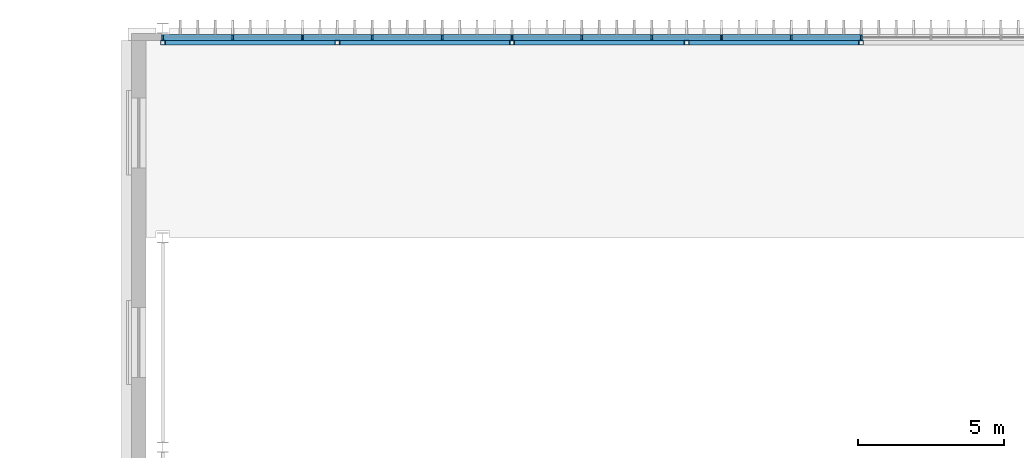
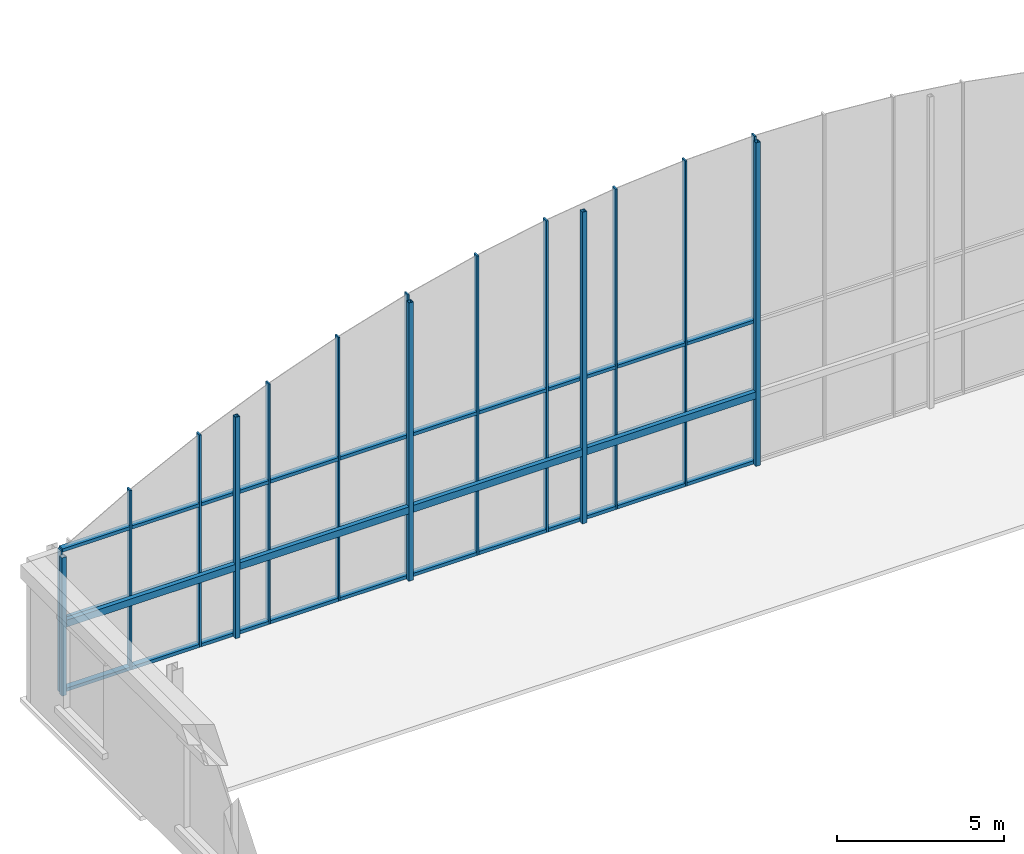
# One storey, part 28 of 93: 46 members, 4 beams, 1 element without a shape of its own.
"""IFC4 building model written with IfcOpenShell, lengths in metres."""

from ifc_helpers import new_model, si_unit, direction, frame, origin, origin_2d, place, context, subcontext, project, spatial, rectangle, hollow_rectangle, extrude, material, layer, layer_set, material_profile, profile_set, type_object, element, aggregate, save


model = new_model("IFC4")

# Units and contexts
model_context = context("Model", 3, precision=1e-05, world=origin(), true_north=direction((0.0, 1.0)))
body_context = subcontext(model_context, "Body", "Model", "MODEL_VIEW")
ifc_project = project(units=[si_unit("LENGTHUNIT", "METRE"), si_unit("AREAUNIT", "SQUARE_METRE"), si_unit("VOLUMEUNIT", "CUBIC_METRE"), si_unit("PLANEANGLEUNIT", "RADIAN"), si_unit("MASSUNIT", "GRAM", prefix="KILO")], contexts=[model_context])

# Site, building, storey
site_placement = place(None, origin())
site = spatial("IfcSite", under=ifc_project, at=site_placement, CompositionType="ELEMENT")
building_placement = place(site_placement, origin())
building = spatial("IfcBuilding", under=site, at=building_placement, Name="Verrick Yard Athletic Hall", CompositionType="ELEMENT")
storey_placement = place(building_placement, frame((0.0, 0.0, 8.800048828125)))
storey = spatial("IfcBuildingStorey", under=building, at=storey_placement, Name="L02", CompositionType="ELEMENT", Elevation=8.800048828125)

# Curtain wall, members
ifc_material_1 = material(Name="Anodised aluminium", Category="aluminium")
ifc_layer = layer(ifc_material_1, 0.199951171875)
ifc_layer_set = layer_set([ifc_layer], Name="Gable glazing")
curtain_wall_type = type_object("IfcCurtainWallType", Name="Gable glazing", PredefinedType="NOTDEFINED", material=ifc_layer_set)
curtain_wall_placement = place(storey_placement, origin())
curtain_wall = element("IfcCurtainWall", 1, at=curtain_wall_placement, inside=storey, type_object=curtain_wall_type, Name="Gable curtain wall BN", PredefinedType="NOTDEFINED")
ifc_material_profile_1 = material_profile(ifc_material_1, rectangle(XDim=0.199951171875, YDim=0.06005859375, at=origin_2d()), Name="CW gable mullion 60x200")
ifc_profile_set_1 = profile_set([ifc_material_profile_1], Name="Anodised aluminium")
member_type_1 = type_object("IfcMemberType", Name="Gable glazing mullion 60x200", PredefinedType="MULLION", material=ifc_profile_set_1)
member_1_placement = place(storey_placement, frame((28.0, 107.681640625, 0.0), z_axis=(0.0, 0.0, 1.0), x_axis=(0.0, 1.0, 0.0)))
member_1 = element("IfcMember", 2, at=member_1_placement, type_object=member_type_1, Name="ENVB-HBN-CW/M00", PredefinedType="MULLION", context=body_context, shape_type="SweptSolid", body=[
    extrude(rectangle(XDim=0.199951171875, YDim=0.06005859375, at=origin_2d()), origin(), (0.0, 0.0, 1.0), 5.199951171875),
])
member_2_placement = place(storey_placement, frame((30.39990234375, 107.681640625, 0.0), z_axis=(0.0, 0.0, 1.0), x_axis=(0.0, 1.0, 0.0)))
member_2 = element("IfcMember", 3, at=member_2_placement, type_object=member_type_1, Name="ENVB-HBN-CW/M01", PredefinedType="MULLION", context=body_context, shape_type="SweptSolid", body=[
    extrude(rectangle(XDim=0.199951171875, YDim=0.06005859375, at=origin_2d()), origin(), (0.0, 0.0, 1.0), 6.5703125),
])
member_3_placement = place(storey_placement, frame((32.800048828125, 107.681640625, 0.0), z_axis=(0.0, 0.0, 1.0), x_axis=(0.0, 1.0, 0.0)))
member_3 = element("IfcMember", 4, at=member_3_placement, type_object=member_type_1, Name="ENVB-HBN-CW/M02", PredefinedType="MULLION", context=body_context, shape_type="SweptSolid", body=[
    extrude(rectangle(XDim=0.199951171875, YDim=0.06005859375, at=origin_2d()), origin(), (0.0, 0.0, 1.0), 7.758544921875),
])
member_4_placement = place(storey_placement, frame((35.199951171875, 107.681640625, 0.0), z_axis=(0.0, 0.0, 1.0), x_axis=(0.0, 1.0, 0.0)))
member_4 = element("IfcMember", 5, at=member_4_placement, type_object=member_type_1, Name="ENVB-HBN-CW/M03", PredefinedType="MULLION", context=body_context, shape_type="SweptSolid", body=[
    extrude(rectangle(XDim=0.199951171875, YDim=0.06005859375, at=origin_2d()), origin(), (0.0, 0.0, 1.0), 8.779541015625),
])
member_5_placement = place(storey_placement, frame((37.60009765625, 107.681640625, 0.0), z_axis=(0.0, 0.0, 1.0), x_axis=(0.0, 1.0, 0.0)))
member_5 = element("IfcMember", 6, at=member_5_placement, type_object=member_type_1, Name="ENVB-HBN-CW/M04", PredefinedType="MULLION", context=body_context, shape_type="SweptSolid", body=[
    extrude(rectangle(XDim=0.199951171875, YDim=0.06005859375, at=origin_2d()), origin(), (0.0, 0.0, 1.0), 9.64501953125),
])
member_6_placement = place(storey_placement, frame((40.0, 107.681640625, 0.0), z_axis=(0.0, 0.0, 1.0), x_axis=(0.0, 1.0, 0.0)))
member_6 = element("IfcMember", 7, at=member_6_placement, type_object=member_type_1, Name="ENVB-HBN-CW/M05", PredefinedType="MULLION", context=body_context, shape_type="SweptSolid", body=[
    extrude(rectangle(XDim=0.199951171875, YDim=0.06005859375, at=origin_2d()), origin(), (0.0, 0.0, 1.0), 10.3642578125),
])
member_7_placement = place(storey_placement, frame((42.39990234375, 107.681640625, 0.0), z_axis=(0.0, 0.0, 1.0), x_axis=(0.0, 1.0, 0.0)))
member_7 = element("IfcMember", 8, at=member_7_placement, type_object=member_type_1, Name="ENVB-HBN-CW/M06", PredefinedType="MULLION", context=body_context, shape_type="SweptSolid", body=[
    extrude(rectangle(XDim=0.199951171875, YDim=0.06005859375, at=origin_2d()), origin(), (0.0, 0.0, 1.0), 10.9443359375),
])
member_8_placement = place(storey_placement, frame((44.800048828125, 107.681640625, 0.0), z_axis=(0.0, 0.0, 1.0), x_axis=(0.0, 1.0, 0.0)))
member_8 = element("IfcMember", 9, at=member_8_placement, type_object=member_type_1, Name="ENVB-HBN-CW/M07", PredefinedType="MULLION", context=body_context, shape_type="SweptSolid", body=[
    extrude(rectangle(XDim=0.199951171875, YDim=0.06005859375, at=origin_2d()), origin(), (0.0, 0.0, 1.0), 11.39013671875),
])
member_9_placement = place(storey_placement, frame((47.199951171875, 107.681640625, 0.0), z_axis=(0.0, 0.0, 1.0), x_axis=(0.0, 1.0, 0.0)))
member_9 = element("IfcMember", 10, at=member_9_placement, type_object=member_type_1, Name="ENVB-HBN-CW/M08", PredefinedType="MULLION", context=body_context, shape_type="SweptSolid", body=[
    extrude(rectangle(XDim=0.199951171875, YDim=0.06005859375, at=origin_2d()), origin(), (0.0, 0.0, 1.0), 11.7060546875),
])
member_10_placement = place(storey_placement, frame((49.60009765625, 107.681640625, 0.0), z_axis=(0.0, 0.0, 1.0), x_axis=(0.0, 1.0, 0.0)))
member_10 = element("IfcMember", 11, at=member_10_placement, type_object=member_type_1, Name="ENVB-HBN-CW/M09", PredefinedType="MULLION", context=body_context, shape_type="SweptSolid", body=[
    extrude(rectangle(XDim=0.199951171875, YDim=0.06005859375, at=origin_2d()), origin(), (0.0, 0.0, 1.0), 11.89453125),
])
member_11_placement = place(storey_placement, frame((52.0, 107.681640625, 0.0), z_axis=(0.0, 0.0, 1.0), x_axis=(0.0, 1.0, 0.0)))
member_11 = element("IfcMember", 12, at=member_11_placement, type_object=member_type_1, Name="ENVB-HBN-CW/M10", PredefinedType="MULLION", context=body_context, shape_type="SweptSolid", body=[
    extrude(rectangle(XDim=0.199951171875, YDim=0.06005859375, at=origin_2d()), origin(), (0.0, 0.0, 1.0), 11.95703125),
])
ifc_material_profile_2 = material_profile(ifc_material_1, rectangle(XDim=0.199951171875, YDim=0.1201171875, at=origin_2d()), Name="CW gable transom 200x120")
ifc_profile_set_2 = profile_set([ifc_material_profile_2], Name="Anodised aluminium")
member_type_2 = type_object("IfcMemberType", Name="Gable glazing transom 200x120", PredefinedType="USERDEFINED", material=ifc_profile_set_2)
member_12_placement = place(storey_placement, frame((28.030029296875, 107.681640625, 0.06005859375), z_axis=(1.0, 0.0, 0.0), x_axis=(0.0, 1.0, 0.0)))
member_12 = element("IfcMember", 13, at=member_12_placement, type_object=member_type_2, Name="ENVB-HBN-CW/T00-00", ObjectType="TRANSOM", PredefinedType="USERDEFINED", context=body_context, shape_type="SweptSolid", body=[
    extrude(rectangle(XDim=0.199951171875, YDim=0.1201171875, at=origin_2d()), origin(), (0.0, 0.0, 1.0), 2.340087890625),
])
member_13_placement = place(storey_placement, frame((28.030029296875, 107.681640625, 2.599853515625), z_axis=(1.0, 0.0, 0.0), x_axis=(0.0, 1.0, 0.0)))
member_13 = element("IfcMember", 14, at=member_13_placement, type_object=member_type_2, Name="ENVB-HBN-CW/T00-01", ObjectType="TRANSOM", PredefinedType="USERDEFINED", context=body_context, shape_type="SweptSolid", body=[
    extrude(rectangle(XDim=0.199951171875, YDim=0.1201171875, at=origin_2d()), origin(), (0.0, 0.0, 1.0), 2.340087890625),
])
member_14_placement = place(storey_placement, frame((28.030029296875, 107.681640625, 5.199951171875), z_axis=(1.0, 0.0, 0.0), x_axis=(0.0, 1.0, 0.0)))
member_14 = element("IfcMember", 15, at=member_14_placement, type_object=member_type_2, Name="ENVB-HBN-CW/T00-02", ObjectType="TRANSOM", PredefinedType="USERDEFINED", context=body_context, shape_type="SweptSolid", body=[
    extrude(rectangle(XDim=0.199951171875, YDim=0.1201171875, at=origin_2d()), origin(), (0.0, 0.0, 1.0), 2.340087890625),
])
member_15_placement = place(storey_placement, frame((30.429931640625, 107.681640625, 0.06005859375), z_axis=(1.0, 0.0, 0.0), x_axis=(0.0, 1.0, 0.0)))
member_15 = element("IfcMember", 16, at=member_15_placement, type_object=member_type_2, Name="ENVB-HBN-CW/T01-00", ObjectType="TRANSOM", PredefinedType="USERDEFINED", context=body_context, shape_type="SweptSolid", body=[
    extrude(rectangle(XDim=0.199951171875, YDim=0.1201171875, at=origin_2d()), origin(), (0.0, 0.0, 1.0), 2.340087890625),
])
member_16_placement = place(storey_placement, frame((30.429931640625, 107.681640625, 2.599853515625), z_axis=(1.0, 0.0, 0.0), x_axis=(0.0, 1.0, 0.0)))
member_16 = element("IfcMember", 17, at=member_16_placement, type_object=member_type_2, Name="ENVB-HBN-CW/T01-01", ObjectType="TRANSOM", PredefinedType="USERDEFINED", context=body_context, shape_type="SweptSolid", body=[
    extrude(rectangle(XDim=0.199951171875, YDim=0.1201171875, at=origin_2d()), origin(), (0.0, 0.0, 1.0), 2.340087890625),
])
member_17_placement = place(storey_placement, frame((30.429931640625, 107.681640625, 5.199951171875), z_axis=(1.0, 0.0, 0.0), x_axis=(0.0, 1.0, 0.0)))
member_17 = element("IfcMember", 18, at=member_17_placement, type_object=member_type_2, Name="ENVB-HBN-CW/T01-02", ObjectType="TRANSOM", PredefinedType="USERDEFINED", context=body_context, shape_type="SweptSolid", body=[
    extrude(rectangle(XDim=0.199951171875, YDim=0.1201171875, at=origin_2d()), origin(), (0.0, 0.0, 1.0), 2.340087890625),
])
member_18_placement = place(storey_placement, frame((32.830078125, 107.681640625, 0.06005859375), z_axis=(1.0, 0.0, 0.0), x_axis=(0.0, 1.0, 0.0)))
member_18 = element("IfcMember", 19, at=member_18_placement, type_object=member_type_2, Name="ENVB-HBN-CW/T02-00", ObjectType="TRANSOM", PredefinedType="USERDEFINED", context=body_context, shape_type="SweptSolid", body=[
    extrude(rectangle(XDim=0.199951171875, YDim=0.1201171875, at=origin_2d()), origin(), (0.0, 0.0, 1.0), 2.33984375),
])
member_19_placement = place(storey_placement, frame((32.830078125, 107.681640625, 2.599853515625), z_axis=(1.0, 0.0, 0.0), x_axis=(0.0, 1.0, 0.0)))
member_19 = element("IfcMember", 20, at=member_19_placement, type_object=member_type_2, Name="ENVB-HBN-CW/T02-01", ObjectType="TRANSOM", PredefinedType="USERDEFINED", context=body_context, shape_type="SweptSolid", body=[
    extrude(rectangle(XDim=0.199951171875, YDim=0.1201171875, at=origin_2d()), origin(), (0.0, 0.0, 1.0), 2.33984375),
])
member_20_placement = place(storey_placement, frame((32.830078125, 107.681640625, 5.199951171875), z_axis=(1.0, 0.0, 0.0), x_axis=(0.0, 1.0, 0.0)))
member_20 = element("IfcMember", 21, at=member_20_placement, type_object=member_type_2, Name="ENVB-HBN-CW/T02-02", ObjectType="TRANSOM", PredefinedType="USERDEFINED", context=body_context, shape_type="SweptSolid", body=[
    extrude(rectangle(XDim=0.199951171875, YDim=0.1201171875, at=origin_2d()), origin(), (0.0, 0.0, 1.0), 2.33984375),
])
member_21_placement = place(storey_placement, frame((35.22998046875, 107.681640625, 0.06005859375), z_axis=(1.0, 0.0, 0.0), x_axis=(0.0, 1.0, 0.0)))
member_21 = element("IfcMember", 22, at=member_21_placement, type_object=member_type_2, Name="ENVB-HBN-CW/T03-00", ObjectType="TRANSOM", PredefinedType="USERDEFINED", context=body_context, shape_type="SweptSolid", body=[
    extrude(rectangle(XDim=0.199951171875, YDim=0.1201171875, at=origin_2d()), origin(), (0.0, 0.0, 1.0), 2.340087890625),
])
member_22_placement = place(storey_placement, frame((35.22998046875, 107.681640625, 2.599853515625), z_axis=(1.0, 0.0, 0.0), x_axis=(0.0, 1.0, 0.0)))
member_22 = element("IfcMember", 23, at=member_22_placement, type_object=member_type_2, Name="ENVB-HBN-CW/T03-01", ObjectType="TRANSOM", PredefinedType="USERDEFINED", context=body_context, shape_type="SweptSolid", body=[
    extrude(rectangle(XDim=0.199951171875, YDim=0.1201171875, at=origin_2d()), origin(), (0.0, 0.0, 1.0), 2.340087890625),
])
member_23_placement = place(storey_placement, frame((35.22998046875, 107.681640625, 5.199951171875), z_axis=(1.0, 0.0, 0.0), x_axis=(0.0, 1.0, 0.0)))
member_23 = element("IfcMember", 24, at=member_23_placement, type_object=member_type_2, Name="ENVB-HBN-CW/T03-02", ObjectType="TRANSOM", PredefinedType="USERDEFINED", context=body_context, shape_type="SweptSolid", body=[
    extrude(rectangle(XDim=0.199951171875, YDim=0.1201171875, at=origin_2d()), origin(), (0.0, 0.0, 1.0), 2.340087890625),
])
member_24_placement = place(storey_placement, frame((37.6298828125, 107.681640625, 0.06005859375), z_axis=(1.0, 0.0, 0.0), x_axis=(0.0, 1.0, 0.0)))
member_24 = element("IfcMember", 25, at=member_24_placement, type_object=member_type_2, Name="ENVB-HBN-CW/T04-00", ObjectType="TRANSOM", PredefinedType="USERDEFINED", context=body_context, shape_type="SweptSolid", body=[
    extrude(rectangle(XDim=0.199951171875, YDim=0.1201171875, at=origin_2d()), origin(), (0.0, 0.0, 1.0), 2.340087890625),
])
member_25_placement = place(storey_placement, frame((37.6298828125, 107.681640625, 2.599853515625), z_axis=(1.0, 0.0, 0.0), x_axis=(0.0, 1.0, 0.0)))
member_25 = element("IfcMember", 26, at=member_25_placement, type_object=member_type_2, Name="ENVB-HBN-CW/T04-01", ObjectType="TRANSOM", PredefinedType="USERDEFINED", context=body_context, shape_type="SweptSolid", body=[
    extrude(rectangle(XDim=0.199951171875, YDim=0.1201171875, at=origin_2d()), origin(), (0.0, 0.0, 1.0), 2.340087890625),
])
member_26_placement = place(storey_placement, frame((37.6298828125, 107.681640625, 5.199951171875), z_axis=(1.0, 0.0, 0.0), x_axis=(0.0, 1.0, 0.0)))
member_26 = element("IfcMember", 27, at=member_26_placement, type_object=member_type_2, Name="ENVB-HBN-CW/T04-02", ObjectType="TRANSOM", PredefinedType="USERDEFINED", context=body_context, shape_type="SweptSolid", body=[
    extrude(rectangle(XDim=0.199951171875, YDim=0.1201171875, at=origin_2d()), origin(), (0.0, 0.0, 1.0), 2.340087890625),
])
member_27_placement = place(storey_placement, frame((40.030029296875, 107.681640625, 0.06005859375), z_axis=(1.0, 0.0, 0.0), x_axis=(0.0, 1.0, 0.0)))
member_27 = element("IfcMember", 28, at=member_27_placement, type_object=member_type_2, Name="ENVB-HBN-CW/T05-00", ObjectType="TRANSOM", PredefinedType="USERDEFINED", context=body_context, shape_type="SweptSolid", body=[
    extrude(rectangle(XDim=0.199951171875, YDim=0.1201171875, at=origin_2d()), origin(), (0.0, 0.0, 1.0), 2.340087890625),
])
member_28_placement = place(storey_placement, frame((40.030029296875, 107.681640625, 2.599853515625), z_axis=(1.0, 0.0, 0.0), x_axis=(0.0, 1.0, 0.0)))
member_28 = element("IfcMember", 29, at=member_28_placement, type_object=member_type_2, Name="ENVB-HBN-CW/T05-01", ObjectType="TRANSOM", PredefinedType="USERDEFINED", context=body_context, shape_type="SweptSolid", body=[
    extrude(rectangle(XDim=0.199951171875, YDim=0.1201171875, at=origin_2d()), origin(), (0.0, 0.0, 1.0), 2.340087890625),
])
member_29_placement = place(storey_placement, frame((40.030029296875, 107.681640625, 5.199951171875), z_axis=(1.0, 0.0, 0.0), x_axis=(0.0, 1.0, 0.0)))
member_29 = element("IfcMember", 30, at=member_29_placement, type_object=member_type_2, Name="ENVB-HBN-CW/T05-02", ObjectType="TRANSOM", PredefinedType="USERDEFINED", context=body_context, shape_type="SweptSolid", body=[
    extrude(rectangle(XDim=0.199951171875, YDim=0.1201171875, at=origin_2d()), origin(), (0.0, 0.0, 1.0), 2.340087890625),
])
member_30_placement = place(storey_placement, frame((42.429931640625, 107.681640625, 0.06005859375), z_axis=(1.0, 0.0, 0.0), x_axis=(0.0, 1.0, 0.0)))
member_30 = element("IfcMember", 31, at=member_30_placement, type_object=member_type_2, Name="ENVB-HBN-CW/T06-00", ObjectType="TRANSOM", PredefinedType="USERDEFINED", context=body_context, shape_type="SweptSolid", body=[
    extrude(rectangle(XDim=0.199951171875, YDim=0.1201171875, at=origin_2d()), origin(), (0.0, 0.0, 1.0), 2.340087890625),
])
member_31_placement = place(storey_placement, frame((42.429931640625, 107.681640625, 2.599853515625), z_axis=(1.0, 0.0, 0.0), x_axis=(0.0, 1.0, 0.0)))
member_31 = element("IfcMember", 32, at=member_31_placement, type_object=member_type_2, Name="ENVB-HBN-CW/T06-01", ObjectType="TRANSOM", PredefinedType="USERDEFINED", context=body_context, shape_type="SweptSolid", body=[
    extrude(rectangle(XDim=0.199951171875, YDim=0.1201171875, at=origin_2d()), origin(), (0.0, 0.0, 1.0), 2.340087890625),
])
member_32_placement = place(storey_placement, frame((42.429931640625, 107.681640625, 5.199951171875), z_axis=(1.0, 0.0, 0.0), x_axis=(0.0, 1.0, 0.0)))
member_32 = element("IfcMember", 33, at=member_32_placement, type_object=member_type_2, Name="ENVB-HBN-CW/T06-02", ObjectType="TRANSOM", PredefinedType="USERDEFINED", context=body_context, shape_type="SweptSolid", body=[
    extrude(rectangle(XDim=0.199951171875, YDim=0.1201171875, at=origin_2d()), origin(), (0.0, 0.0, 1.0), 2.340087890625),
])
member_33_placement = place(storey_placement, frame((44.830078125, 107.681640625, 0.06005859375), z_axis=(1.0, 0.0, 0.0), x_axis=(0.0, 1.0, 0.0)))
member_33 = element("IfcMember", 34, at=member_33_placement, type_object=member_type_2, Name="ENVB-HBN-CW/T07-00", ObjectType="TRANSOM", PredefinedType="USERDEFINED", context=body_context, shape_type="SweptSolid", body=[
    extrude(rectangle(XDim=0.199951171875, YDim=0.1201171875, at=origin_2d()), origin(), (0.0, 0.0, 1.0), 2.33984375),
])
member_34_placement = place(storey_placement, frame((44.830078125, 107.681640625, 2.599853515625), z_axis=(1.0, 0.0, 0.0), x_axis=(0.0, 1.0, 0.0)))
member_34 = element("IfcMember", 35, at=member_34_placement, type_object=member_type_2, Name="ENVB-HBN-CW/T07-01", ObjectType="TRANSOM", PredefinedType="USERDEFINED", context=body_context, shape_type="SweptSolid", body=[
    extrude(rectangle(XDim=0.199951171875, YDim=0.1201171875, at=origin_2d()), origin(), (0.0, 0.0, 1.0), 2.33984375),
])
member_35_placement = place(storey_placement, frame((44.830078125, 107.681640625, 5.199951171875), z_axis=(1.0, 0.0, 0.0), x_axis=(0.0, 1.0, 0.0)))
member_35 = element("IfcMember", 36, at=member_35_placement, type_object=member_type_2, Name="ENVB-HBN-CW/T07-02", ObjectType="TRANSOM", PredefinedType="USERDEFINED", context=body_context, shape_type="SweptSolid", body=[
    extrude(rectangle(XDim=0.199951171875, YDim=0.1201171875, at=origin_2d()), origin(), (0.0, 0.0, 1.0), 2.33984375),
])
member_36_placement = place(storey_placement, frame((47.22998046875, 107.681640625, 0.06005859375), z_axis=(1.0, 0.0, 0.0), x_axis=(0.0, 1.0, 0.0)))
member_36 = element("IfcMember", 37, at=member_36_placement, type_object=member_type_2, Name="ENVB-HBN-CW/T08-00", ObjectType="TRANSOM", PredefinedType="USERDEFINED", context=body_context, shape_type="SweptSolid", body=[
    extrude(rectangle(XDim=0.199951171875, YDim=0.1201171875, at=origin_2d()), origin(), (0.0, 0.0, 1.0), 2.340087890625),
])
member_37_placement = place(storey_placement, frame((47.22998046875, 107.681640625, 2.599853515625), z_axis=(1.0, 0.0, 0.0), x_axis=(0.0, 1.0, 0.0)))
member_37 = element("IfcMember", 38, at=member_37_placement, type_object=member_type_2, Name="ENVB-HBN-CW/T08-01", ObjectType="TRANSOM", PredefinedType="USERDEFINED", context=body_context, shape_type="SweptSolid", body=[
    extrude(rectangle(XDim=0.199951171875, YDim=0.1201171875, at=origin_2d()), origin(), (0.0, 0.0, 1.0), 2.340087890625),
])
member_38_placement = place(storey_placement, frame((47.22998046875, 107.681640625, 5.199951171875), z_axis=(1.0, 0.0, 0.0), x_axis=(0.0, 1.0, 0.0)))
member_38 = element("IfcMember", 39, at=member_38_placement, type_object=member_type_2, Name="ENVB-HBN-CW/T08-02", ObjectType="TRANSOM", PredefinedType="USERDEFINED", context=body_context, shape_type="SweptSolid", body=[
    extrude(rectangle(XDim=0.199951171875, YDim=0.1201171875, at=origin_2d()), origin(), (0.0, 0.0, 1.0), 2.340087890625),
])
member_39_placement = place(storey_placement, frame((49.6298828125, 107.681640625, 0.06005859375), z_axis=(1.0, 0.0, 0.0), x_axis=(0.0, 1.0, 0.0)))
member_39 = element("IfcMember", 40, at=member_39_placement, type_object=member_type_2, Name="ENVB-HBN-CW/T09-00", ObjectType="TRANSOM", PredefinedType="USERDEFINED", context=body_context, shape_type="SweptSolid", body=[
    extrude(rectangle(XDim=0.199951171875, YDim=0.1201171875, at=origin_2d()), origin(), (0.0, 0.0, 1.0), 2.340087890625),
])
member_40_placement = place(storey_placement, frame((49.6298828125, 107.681640625, 2.599853515625), z_axis=(1.0, 0.0, 0.0), x_axis=(0.0, 1.0, 0.0)))
member_40 = element("IfcMember", 41, at=member_40_placement, type_object=member_type_2, Name="ENVB-HBN-CW/T09-01", ObjectType="TRANSOM", PredefinedType="USERDEFINED", context=body_context, shape_type="SweptSolid", body=[
    extrude(rectangle(XDim=0.199951171875, YDim=0.1201171875, at=origin_2d()), origin(), (0.0, 0.0, 1.0), 2.340087890625),
])
member_41_placement = place(storey_placement, frame((49.6298828125, 107.681640625, 5.199951171875), z_axis=(1.0, 0.0, 0.0), x_axis=(0.0, 1.0, 0.0)))
member_41 = element("IfcMember", 42, at=member_41_placement, type_object=member_type_2, Name="ENVB-HBN-CW/T09-02", ObjectType="TRANSOM", PredefinedType="USERDEFINED", context=body_context, shape_type="SweptSolid", body=[
    extrude(rectangle(XDim=0.199951171875, YDim=0.1201171875, at=origin_2d()), origin(), (0.0, 0.0, 1.0), 2.340087890625),
])
aggregate(curtain_wall, [member_1, member_2, member_3, member_4, member_5, member_6, member_7, member_8, member_9, member_10, member_11, member_12, member_13, member_14, member_15, member_16, member_17, member_18, member_19, member_20, member_21, member_22, member_23, member_24, member_25, member_26, member_27, member_28, member_29, member_30, member_31, member_32, member_33, member_34, member_35, member_36, member_37, member_38, member_39, member_40, member_41])

# Members
ifc_material_2 = material(Name="Structural steel HSS Class C 350W (CSA G40.20/G40.21)", Category="steel")
ifc_material_profile_3 = material_profile(ifc_material_2, hollow_rectangle(XDim=0.15234375, YDim=0.15234375, WallThickness=0.009521484375, at=origin_2d()), Name="HSS152x152x9.5")
ifc_profile_set_3 = profile_set([ifc_material_profile_3], Name="Structural steel HSS Class C 350W (CSA G40.20/G40.21)")
member_type_3 = type_object("IfcMemberType", Name="HB gable post HSS152x152x9.5", PredefinedType="POST", material=ifc_profile_set_3)
member_42_placement = place(storey_placement, frame((28.0, 107.50537109375, 0.0), z_axis=(0.0, 0.0, 1.0), x_axis=(1.0, 0.0, 0.0)))
element("IfcMember", 43, at=member_42_placement, inside=storey, type_object=member_type_3, Name="HB-GP-BN-0", PredefinedType="POST", context=body_context, shape_type="SweptSolid", body=[
    extrude(hollow_rectangle(XDim=0.15234375, YDim=0.15234375, WallThickness=0.009521484375, at=origin_2d()), origin(), (0.0, 0.0, 1.0), 5.054443359375),
])
member_43_placement = place(storey_placement, frame((34.0, 107.50537109375, 0.0), z_axis=(0.0, 0.0, 1.0), x_axis=(1.0, 0.0, 0.0)))
element("IfcMember", 44, at=member_43_placement, inside=storey, type_object=member_type_3, Name="HB-GP-BN-1", PredefinedType="POST", context=body_context, shape_type="SweptSolid", body=[
    extrude(hollow_rectangle(XDim=0.15234375, YDim=0.15234375, WallThickness=0.009521484375, at=origin_2d()), origin(), (0.0, 0.0, 1.0), 8.096923828125),
])
member_44_placement = place(storey_placement, frame((40.0, 107.50537109375, 0.0), z_axis=(0.0, 0.0, 1.0), x_axis=(1.0, 0.0, 0.0)))
element("IfcMember", 45, at=member_44_placement, inside=storey, type_object=member_type_3, Name="HB-GP-BN-2", PredefinedType="POST", context=body_context, shape_type="SweptSolid", body=[
    extrude(hollow_rectangle(XDim=0.15234375, YDim=0.15234375, WallThickness=0.009521484375, at=origin_2d()), origin(), (0.0, 0.0, 1.0), 10.1767578125),
])
member_45_placement = place(storey_placement, frame((46.0, 107.50537109375, 0.0), z_axis=(0.0, 0.0, 1.0), x_axis=(1.0, 0.0, 0.0)))
element("IfcMember", 46, at=member_45_placement, inside=storey, type_object=member_type_3, Name="HB-GP-BN-3", PredefinedType="POST", context=body_context, shape_type="SweptSolid", body=[
    extrude(hollow_rectangle(XDim=0.15234375, YDim=0.15234375, WallThickness=0.009521484375, at=origin_2d()), origin(), (0.0, 0.0, 1.0), 11.395751953125),
])
member_46_placement = place(storey_placement, frame((52.0, 107.50537109375, 0.0), z_axis=(0.0, 0.0, 1.0), x_axis=(1.0, 0.0, 0.0)))
element("IfcMember", 47, at=member_46_placement, inside=storey, type_object=member_type_3, Name="HB-GP-BN-4", PredefinedType="POST", context=body_context, shape_type="SweptSolid", body=[
    extrude(hollow_rectangle(XDim=0.15234375, YDim=0.15234375, WallThickness=0.009521484375, at=origin_2d()), origin(), (0.0, 0.0, 1.0), 11.8271484375),
])

# Beams
ifc_material_profile_4 = material_profile(ifc_material_2, hollow_rectangle(XDim=0.15234375, YDim=0.25390625, WallThickness=0.009521484375, at=origin_2d()), Name="HSS254x152x9.5")
ifc_profile_set_4 = profile_set([ifc_material_profile_4], Name="Structural steel HSS Class C 350W (CSA G40.20/G40.21)")
beam_type = type_object("IfcBeamType", Name="HB wind girder HSS254x152x9.5", PredefinedType="BEAM", material=ifc_profile_set_4)
for number, where, z_axis, x_axis, name in (
    (48, (28.076171875, 107.50537109375, 2.599853515625), (1.0, 0.0, 0.0), (0.0, 1.0, 0.0), "HB-WG-BN-114-1"),
    (49, (34.076171875, 107.50537109375, 2.599853515625), (1.0, 0.0, 0.0), (0.0, 1.0, 0.0), "HB-WG-BN-114-2"),
    (50, (40.076171875, 107.50537109375, 2.599853515625), (1.0, 0.0, 0.0), (0.0, 1.0, 0.0), "HB-WG-BN-114-3"),
    (51, (46.076171875, 107.50537109375, 2.599853515625), (1.0, 0.0, 0.0), (0.0, 1.0, 0.0), "HB-WG-BN-114-4"),
):
    element("IfcBeam", number, at=place(storey_placement, frame(where, z_axis=z_axis, x_axis=x_axis)), inside=storey, type_object=beam_type, Name=name, PredefinedType="BEAM", context=body_context, shape_type="SweptSolid", body=[
        extrude(hollow_rectangle(XDim=0.15234375, YDim=0.25390625, WallThickness=0.009521484375, at=origin_2d()), origin(), (0.0, 0.0, 1.0), 5.84765625),
    ])

save(model, "model.ifc")
